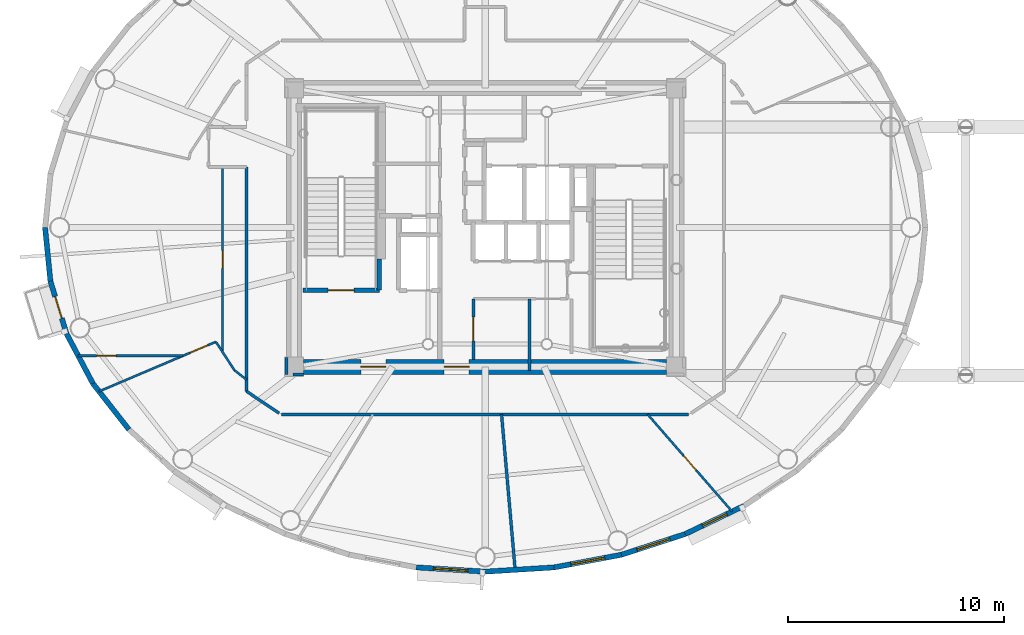
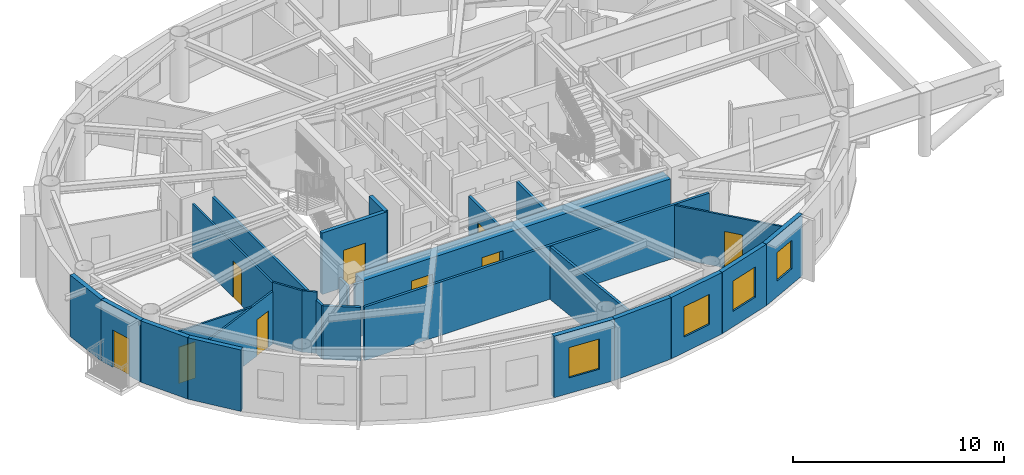
# One storey, part 8 of 19: 26 walls, 9 doors, 4 windows, 13 openings.
"""IFC4 building model written with IfcOpenShell, lengths in metres."""

from ifc_helpers import new_model, si_unit, direction, frame, frame_2d, origin, origin_2d, place, context, subcontext, project, spatial, rectangle, extrude, source, transform, mapped, material, layer, layer_set, type_object, element, fill, save


model = new_model("IFC4")

# Units and contexts
model_context = context("Model", 3, precision=1e-05, world=origin(), true_north=direction((0.0, 1.0)))
body_context = subcontext(model_context, "Body", "Model", "MODEL_VIEW")
ifc_project = project(units=[si_unit("LENGTHUNIT", "METRE"), si_unit("AREAUNIT", "SQUARE_METRE"), si_unit("VOLUMEUNIT", "CUBIC_METRE"), si_unit("PLANEANGLEUNIT", "RADIAN"), si_unit("MASSUNIT", "GRAM", prefix="KILO")], contexts=[model_context])

# Site, building, storey
site_placement = place(None, origin())
site = spatial("IfcSite", under=ifc_project, at=site_placement, CompositionType="ELEMENT")
building_placement = place(site_placement, origin())
building = spatial("IfcBuilding", under=site, at=building_placement, Name="Linh Dai School and Residence Tower", CompositionType="ELEMENT")
storey_placement = place(building_placement, frame((0.0, 0.0, 339.199951171875)))
storey = spatial("IfcBuildingStorey", under=building, at=storey_placement, Name="L84", CompositionType="ELEMENT", Elevation=339.199951171875)

# Wall
ifc_material_1 = material(Name="Precast Concrete B45 (C35/45)", Category="concrete")
ifc_layer_1 = layer(ifc_material_1, 0.239990234375)
ifc_layer_set_1 = layer_set([ifc_layer_1], Name="Precast Concrete B45 (C35/45)")
wall_type_1 = type_object("IfcWallType", Name="EW-TC-240", PredefinedType="SOLIDWALL", material=ifc_layer_set_1)
wall_1_placement = place(storey_placement, frame((15.875, 24.51318359375, 0.0), z_axis=(0.0, 0.0, 1.0), x_axis=(-0.100025963401, 0.994984827344, 0.0)))
element("IfcWall", 1, at=wall_1_placement, inside=storey, type_object=wall_type_1, Name="L84 Terracotta Exterior Wall 21", PredefinedType="SOLIDWALL", context=body_context, shape_type="SweptSolid", body=[
    extrude(rectangle(XDim=2.499267578125, YDim=0.239990234375, at=frame_2d((1.24951171875, 0.0))), origin(), (0.0, 0.0, 1.0), 3.550048828125),
])

# Wall, opening, door
wall_2_placement = place(storey_placement, frame((16.618896484375, 22.086669921875, 0.0), z_axis=(0.0, 0.0, 1.0), x_axis=(-0.293105547213, 0.956080089842, 0.0)))
wall_2 = element("IfcWall", 2, at=wall_2_placement, inside=storey, type_object=wall_type_1, Name="L84 Terracotta Exterior Wall 22", PredefinedType="SOLIDWALL", context=body_context, shape_type="SweptSolid", body=[
    extrude(rectangle(XDim=2.5380859375, YDim=0.239990234375, at=frame_2d((1.26904296875, 0.0))), origin(), (0.0, 0.0, 1.0), 3.550048828125),
])
opening_1_placement = place(wall_2_placement, frame((0.743896484375, 0.0, 0.0)))
opening_1 = element("IfcOpeningElement", 3, at=opening_1_placement, cuts=wall_2, Name="Opening BD1", PredefinedType="OPENING", context=body_context, shape_type="SweptSolid", body=[
    extrude(rectangle(XDim=1.050048828125, YDim=2.14990234375, at=origin_2d()), frame((0.52490234375, 0.1298828125, 1.074951171875), z_axis=(0.0, -1.0, 0.0), x_axis=(1.0, 0.0, 0.0)), (0.0, 0.0, 1.0), 0.260009765625),
])
ifc_material_2 = material(Name="Double-Glazed Balcony Door", Category="glass")
door_type_1 = type_object("IfcDoorType", Name="DR-BALC-1050x2150", OperationType="NOTDEFINED", PredefinedType="DOOR", material=ifc_material_2)
shared_shape_1 = source(origin(), body_context, "Body", "SweptSolid", [
    extrude(rectangle(XDim=1.050048828125, YDim=2.14990234375, at=origin_2d()), frame((0.52490234375, 0.02490234375, 1.074951171875), z_axis=(0.0, -1.0, 0.0), x_axis=(1.0, 0.0, 0.0)), (0.0, 0.0, 1.0), 0.050048828125),
])
door_1_placement = place(opening_1_placement, origin())
door_1 = element("IfcDoor", 4, at=door_1_placement, inside=storey, type_object=door_type_1, Name="L84 Glazed Balcony Door 22", OperationType="SINGLE_SWING_RIGHT", OverallHeight=2.14990234375, OverallWidth=1.050048828125, PredefinedType="DOOR", context=body_context, shape_type="MappedRepresentation", body=[
    mapped(shared_shape_1, transform((0.0, 0.0, 0.0), x_axis=(1.0, 0.0, 0.0), y_axis=(0.0, 1.0, 0.0), z_axis=(0.0, 0.0, 1.0), scale=1.0)),
])
fill(opening_1, door_1)

# Walls
wall_3_placement = place(storey_placement, frame((17.839111328125, 19.779296875, 0.0), z_axis=(0.0, 0.0, 1.0), x_axis=(-0.467487999989, 0.883999417345, 0.0)))
element("IfcWall", 5, at=wall_3_placement, inside=storey, type_object=wall_type_1, Name="L84 Terracotta Exterior Wall 23", PredefinedType="SOLIDWALL", context=body_context, shape_type="SweptSolid", body=[
    extrude(rectangle(XDim=2.610107421875, YDim=0.239990234375, at=frame_2d((1.30517578125, 0.0))), origin(), (0.0, 0.0, 1.0), 3.550048828125),
])
wall_4_placement = place(storey_placement, frame((19.5068359375, 17.648193359375, 0.0), z_axis=(0.0, 0.0, 1.0), x_axis=(-0.616286367698, 0.78752213492, 0.0)))
element("IfcWall", 6, at=wall_4_placement, inside=storey, type_object=wall_type_1, Name="L84 Terracotta Exterior Wall 24", PredefinedType="SOLIDWALL", context=body_context, shape_type="SweptSolid", body=[
    extrude(rectangle(XDim=2.7060546875, YDim=0.239990234375, at=frame_2d((1.35302734375, 0.0))), origin(), (0.0, 0.0, 1.0), 3.550048828125),
])

# Wall, opening, window
wall_5_placement = place(storey_placement, frame((36.0, 11.070068359375, 0.0), z_axis=(0.0, 0.0, 1.0), x_axis=(-0.998109204399, 0.061465568355, 0.0)))
wall_5 = element("IfcWall", 7, at=wall_5_placement, inside=storey, type_object=wall_type_1, Name="L84 Terracotta Exterior Wall 30", PredefinedType="SOLIDWALL", context=body_context, shape_type="SweptSolid", body=[
    extrude(rectangle(XDim=3.197509765625, YDim=0.239990234375, at=frame_2d((1.5986328125, 0.0))), origin(), (0.0, 0.0, 1.0), 3.550048828125),
])
opening_2_placement = place(wall_5_placement, frame((0.798828125, 0.0, 0.89990234375)))
opening_2 = element("IfcOpeningElement", 8, at=opening_2_placement, cuts=wall_5, Name="Opening W2", PredefinedType="OPENING", context=body_context, shape_type="SweptSolid", body=[
    extrude(rectangle(XDim=1.60009765625, YDim=1.75, at=origin_2d()), frame((0.800048828125, 0.1298828125, 0.875), z_axis=(0.0, -1.0, 0.0), x_axis=(1.0, 0.0, 0.0)), (0.0, 0.0, 1.0), 0.260009765625),
])
ifc_material_3 = material(Name="Double Low-E Insulated Glazing", Category="glass")
window_type_1 = type_object("IfcWindowType", Name="WN-RES-1600x1750", PartitioningType="DOUBLE_PANEL_VERTICAL", PredefinedType="WINDOW", material=ifc_material_3)
shared_shape_2 = source(origin(), body_context, "Body", "SweptSolid", [
    extrude(rectangle(XDim=1.60009765625, YDim=1.75, at=origin_2d()), frame((0.800048828125, 0.030029296875, 0.875), z_axis=(0.0, -1.0, 0.0), x_axis=(1.0, 0.0, 0.0)), (0.0, 0.0, 1.0), 0.06005859375),
])
window_1_placement = place(opening_2_placement, origin())
window_1 = element("IfcWindow", 9, at=window_1_placement, inside=storey, type_object=window_type_1, Name="L84 Exterior Window 30.1", OverallHeight=1.75, OverallWidth=1.60009765625, PartitioningType="DOUBLE_PANEL_VERTICAL", PredefinedType="WINDOW", context=body_context, shape_type="MappedRepresentation", body=[
    mapped(shared_shape_2, transform((0.0, 0.0, 0.0), x_axis=(1.0, 0.0, 0.0), y_axis=(0.0, 1.0, 0.0), z_axis=(0.0, 0.0, 1.0), scale=1.0)),
])
fill(opening_2, window_1)

# Wall
wall_6_placement = place(storey_placement, frame((39.19140625, 11.2666015625, 0.0), z_axis=(0.0, 0.0, 1.0), x_axis=(-0.998109204399, -0.061465568355, 0.0)))
element("IfcWall", 10, at=wall_6_placement, inside=storey, type_object=wall_type_1, Name="L84 Terracotta Exterior Wall 31", PredefinedType="SOLIDWALL", context=body_context, shape_type="SweptSolid", body=[
    extrude(rectangle(XDim=3.197509765625, YDim=0.239990234375, at=frame_2d((1.5986328125, 0.0))), origin(), (0.0, 0.0, 1.0), 3.550048828125),
])

# Wall, opening, window
wall_7_placement = place(storey_placement, frame((42.303955078125, 11.85205078125, 0.0), z_axis=(0.0, 0.0, 1.0), x_axis=(-0.98276643264, -0.184851667226, 0.0)))
wall_7 = element("IfcWall", 11, at=wall_7_placement, inside=storey, type_object=wall_type_1, Name="L84 Terracotta Exterior Wall 32", PredefinedType="SOLIDWALL", context=body_context, shape_type="SweptSolid", body=[
    extrude(rectangle(XDim=3.167236328125, YDim=0.239990234375, at=frame_2d((1.58349609375, 0.0))), origin(), (0.0, 0.0, 1.0), 3.550048828125),
])
opening_3_placement = place(wall_7_placement, frame((0.78369140625, 0.0, 0.89990234375)))
opening_3 = element("IfcOpeningElement", 12, at=opening_3_placement, cuts=wall_7, Name="Opening W2", PredefinedType="OPENING", context=body_context, shape_type="SweptSolid", body=[
    extrude(rectangle(XDim=1.60009765625, YDim=1.75, at=origin_2d()), frame((0.800048828125, 0.1298828125, 0.875), z_axis=(0.0, -1.0, 0.0), x_axis=(1.0, 0.0, 0.0)), (0.0, 0.0, 1.0), 0.260009765625),
])
window_2_placement = place(opening_3_placement, origin())
window_2 = element("IfcWindow", 13, at=window_2_placement, inside=storey, type_object=window_type_1, Name="L84 Exterior Window 32.1", OverallHeight=1.75, OverallWidth=1.60009765625, PartitioningType="DOUBLE_PANEL_VERTICAL", PredefinedType="WINDOW", context=body_context, shape_type="MappedRepresentation", body=[
    mapped(shared_shape_2, transform((0.0, 0.0, 0.0), x_axis=(1.0, 0.0, 0.0), y_axis=(0.0, 1.0, 0.0), z_axis=(0.0, 0.0, 1.0), scale=1.0)),
])
fill(opening_3, window_2)

wall_8_placement = place(storey_placement, frame((45.260498046875, 12.81103515625, 0.0), z_axis=(0.0, 0.0, 1.0), x_axis=(-0.951212850731, -0.308535431682, 0.0)))
wall_8 = element("IfcWall", 14, at=wall_8_placement, inside=storey, type_object=wall_type_1, Name="L84 Terracotta Exterior Wall 33", PredefinedType="SOLIDWALL", context=body_context, shape_type="SweptSolid", body=[
    extrude(rectangle(XDim=3.108154296875, YDim=0.239990234375, at=frame_2d((1.55419921875, 0.0))), origin(), (0.0, 0.0, 1.0), 3.550048828125),
])
opening_4_placement = place(wall_8_placement, frame((0.754150390625, 0.0, 0.89990234375)))
opening_4 = element("IfcOpeningElement", 15, at=opening_4_placement, cuts=wall_8, Name="Opening W2", PredefinedType="OPENING", context=body_context, shape_type="SweptSolid", body=[
    extrude(rectangle(XDim=1.60009765625, YDim=1.75, at=origin_2d()), frame((0.800048828125, 0.1298828125, 0.875), z_axis=(0.0, -1.0, 0.0), x_axis=(1.0, 0.0, 0.0)), (0.0, 0.0, 1.0), 0.260009765625),
])
window_3_placement = place(opening_4_placement, origin())
window_3 = element("IfcWindow", 16, at=window_3_placement, inside=storey, type_object=window_type_1, Name="L84 Exterior Window 33.1", OverallHeight=1.75, OverallWidth=1.60009765625, PartitioningType="DOUBLE_PANEL_VERTICAL", PredefinedType="WINDOW", context=body_context, shape_type="MappedRepresentation", body=[
    mapped(shared_shape_2, transform((0.0, 0.0, 0.0), x_axis=(1.0, 0.0, 0.0), y_axis=(0.0, 1.0, 0.0), z_axis=(0.0, 0.0, 1.0), scale=1.0)),
])
fill(opening_4, window_3)

wall_9_placement = place(storey_placement, frame((47.98779296875, 14.119873046875, 0.0), z_axis=(0.0, 0.0, 1.0), x_axis=(-0.901557057889, -0.432660226241, 0.0)))
wall_9 = element("IfcWall", 17, at=wall_9_placement, inside=storey, type_object=wall_type_1, Name="L84 Terracotta Exterior Wall 34", PredefinedType="SOLIDWALL", context=body_context, shape_type="SweptSolid", body=[
    extrude(rectangle(XDim=3.025146484375, YDim=0.239990234375, at=frame_2d((1.5126953125, 0.0))), origin(), (0.0, 0.0, 1.0), 3.550048828125),
])
opening_5_placement = place(wall_9_placement, frame((0.8876953125, 0.0, 0.89990234375)))
opening_5 = element("IfcOpeningElement", 18, at=opening_5_placement, cuts=wall_9, Name="Opening W3", PredefinedType="OPENING", context=body_context, shape_type="SweptSolid", body=[
    extrude(rectangle(XDim=1.25, YDim=1.64990234375, at=origin_2d()), frame((0.625, 0.1298828125, 0.824951171875), z_axis=(0.0, -1.0, 0.0), x_axis=(1.0, 0.0, 0.0)), (0.0, 0.0, 1.0), 0.260009765625),
])
window_type_2 = type_object("IfcWindowType", Name="WN-RES-1250x1650", PartitioningType="SINGLE_PANEL", PredefinedType="WINDOW", material=ifc_material_3)
shared_shape_3 = source(origin(), body_context, "Body", "SweptSolid", [
    extrude(rectangle(XDim=1.25, YDim=1.64990234375, at=origin_2d()), frame((0.625, 0.030029296875, 0.824951171875), z_axis=(0.0, -1.0, 0.0), x_axis=(1.0, 0.0, 0.0)), (0.0, 0.0, 1.0), 0.06005859375),
])
window_4_placement = place(opening_5_placement, origin())
window_4 = element("IfcWindow", 19, at=window_4_placement, inside=storey, type_object=window_type_2, Name="L84 Exterior Window 34.1", OverallHeight=1.64990234375, OverallWidth=1.25, PartitioningType="SINGLE_PANEL", PredefinedType="WINDOW", context=body_context, shape_type="MappedRepresentation", body=[
    mapped(shared_shape_3, transform((0.0, 0.0, 0.0), x_axis=(1.0, 0.0, 0.0), y_axis=(0.0, 1.0, 0.0), z_axis=(0.0, 0.0, 1.0), scale=1.0)),
])
fill(opening_5, window_4)

# Walls
ifc_material_4 = material(Name="Autoclaved Aerated Concrete Blockwork", Category="masonry")
ifc_layer_2 = layer(ifc_material_4, 0.135009765625)
ifc_layer_set_2 = layer_set([ifc_layer_2], Name="Autoclaved Aerated Concrete Blockwork")
wall_type_2 = type_object("IfcWallType", Name="IW-CORR-135-EI90", PredefinedType="PARTITIONING", material=ifc_layer_set_2)
wall_10_placement = place(storey_placement, frame((24.949951171875, 19.41748046875, 0.0), z_axis=(0.0, 0.0, 1.0), x_axis=(0.0, 1.0, 0.0)))
element("IfcWall", 20, at=wall_10_placement, inside=storey, type_object=wall_type_2, Name="L84 Interior Partition Wall 013", PredefinedType="PARTITIONING", context=body_context, shape_type="SweptSolid", body=[
    extrude(rectangle(XDim=10.382568359375, YDim=0.135009765625, at=frame_2d((5.19140625, 0.0))), origin(), (0.0, 0.0, 1.0), 3.0849609375),
])
wall_11_placement = place(storey_placement, frame((24.949951171875, 19.41748046875, 0.0), z_axis=(0.0, 0.0, 1.0), x_axis=(0.831180227396, -0.556003084151, 0.0)))
element("IfcWall", 21, at=wall_11_placement, inside=storey, type_object=wall_type_2, Name="L84 Interior Partition Wall 014", PredefinedType="PARTITIONING", context=body_context, shape_type="SweptSolid", body=[
    extrude(rectangle(XDim=1.815185546875, YDim=0.135009765625, at=frame_2d((0.90771484375, 0.0))), origin(), (0.0, 0.0, 1.0), 3.0849609375),
])
wall_12_placement = place(storey_placement, frame((26.580078125, 18.35009765625, 0.0), z_axis=(0.0, 0.0, 1.0), x_axis=(1.0, 0.0, 0.0)))
element("IfcWall", 22, at=wall_12_placement, inside=storey, type_object=wall_type_2, Name="L84 Interior Partition Wall 017", PredefinedType="PARTITIONING", context=body_context, shape_type="SweptSolid", body=[
    extrude(rectangle(XDim=18.83984375, YDim=0.135009765625, at=frame_2d((9.419921875, 0.0))), origin(), (0.0, 0.0, 1.0), 3.0849609375),
])

# Wall, opening, door
wall_13_placement = place(storey_placement, frame((35.449951171875, 20.89990234375, 0.0), z_axis=(0.0, 0.0, 1.0), x_axis=(0.0, 1.0, 0.0)))
wall_13 = element("IfcWall", 23, at=wall_13_placement, inside=storey, type_object=wall_type_2, Name="L84 Interior Partition Wall 038", PredefinedType="PARTITIONING", context=body_context, shape_type="SweptSolid", body=[
    extrude(rectangle(XDim=2.800048828125, YDim=0.135009765625, at=frame_2d((1.39990234375, 0.0))), origin(), (0.0, 0.0, 1.0), 3.135009765625),
])
opening_6_placement = place(wall_13_placement, frame((0.85009765625, 0.0, 0.0)))
opening_6 = element("IfcOpeningElement", 24, at=opening_6_placement, cuts=wall_13, Name="Opening D07", PredefinedType="OPENING", context=body_context, shape_type="SweptSolid", body=[
    extrude(rectangle(XDim=1.10009765625, YDim=2.14990234375, at=origin_2d()), frame((0.550048828125, 0.07763671875, 1.074951171875), z_axis=(0.0, -1.0, 0.0), x_axis=(1.0, 0.0, 0.0)), (0.0, 0.0, 1.0), 0.155029296875),
])
ifc_material_5 = material(Name="Fire-Rated Louvred Steel Plant Door", Category="steel")
door_type_2 = type_object("IfcDoorType", Name="DR-PLT-1100x2150-FD60S", OperationType="NOTDEFINED", PredefinedType="DOOR", material=ifc_material_5)
shared_shape_4 = source(origin(), body_context, "Body", "SweptSolid", [
    extrude(rectangle(XDim=1.10009765625, YDim=2.14990234375, at=origin_2d()), frame((0.550048828125, 0.02490234375, 1.074951171875), z_axis=(0.0, -1.0, 0.0), x_axis=(1.0, 0.0, 0.0)), (0.0, 0.0, 1.0), 0.050048828125),
])
door_2_placement = place(opening_6_placement, origin())
door_2 = element("IfcDoor", 25, at=door_2_placement, inside=storey, type_object=door_type_2, Name="L84 Floor Electrical Switchroom Door", OperationType="SINGLE_SWING_RIGHT", OverallHeight=2.14990234375, OverallWidth=1.10009765625, PredefinedType="DOOR", context=body_context, shape_type="MappedRepresentation", body=[
    mapped(shared_shape_4, transform((0.0, 0.0, 0.0), x_axis=(1.0, 0.0, 0.0), y_axis=(0.0, 1.0, 0.0), z_axis=(0.0, 0.0, 1.0), scale=1.0)),
])
fill(opening_6, door_2)

# Walls
wall_14_placement = place(storey_placement, frame((36.7568359375, 18.35009765625, 0.0), z_axis=(0.0, 0.0, 1.0), x_axis=(0.087154378737, -0.996194817426, 0.0)))
element("IfcWall", 26, at=wall_14_placement, inside=storey, type_object=wall_type_2, Name="L84 Interior Partition Wall 045", PredefinedType="PARTITIONING", context=body_context, shape_type="SweptSolid", body=[
    extrude(rectangle(XDim=7.227294921875, YDim=0.135009765625, at=frame_2d((3.61376953125, 0.0))), origin(), (0.0, 0.0, 1.0), 3.03515625),
])
wall_15_placement = place(storey_placement, frame((26.800048828125, 20.989990234375, 0.0), z_axis=(0.0, 0.0, 1.0), x_axis=(0.0, -1.0, 0.0)))
element("IfcWall", 27, at=wall_15_placement, inside=storey, type_object=wall_type_2, Name="L84 Interior Partition Wall 081", PredefinedType="PARTITIONING", context=body_context, shape_type="SweptSolid", body=[
    extrude(rectangle(XDim=0.7900390625, YDim=0.135009765625, at=frame_2d((0.39501953125, 0.0))), origin(), (0.0, 0.0, 1.0), 3.0849609375),
])
wall_16_placement = place(storey_placement, frame((27.107421875, 20.199951171875, 0.0), z_axis=(0.0, 0.0, 1.0), x_axis=(1.0, 0.0, 0.0)))
element("IfcWall", 28, at=wall_16_placement, inside=storey, type_object=wall_type_2, Name="L84 Interior Partition Wall 082", PredefinedType="PARTITIONING", context=body_context, shape_type="SweptSolid", body=[
    extrude(rectangle(XDim=0.482666015625, YDim=0.135009765625, at=frame_2d((0.2412109375, 0.0))), origin(), (0.0, 0.0, 1.0), 3.0849609375),
])
ifc_layer_3 = layer(ifc_material_4, 0.14990234375)
ifc_layer_set_3 = layer_set([ifc_layer_3], Name="Autoclaved Aerated Concrete Blockwork")
wall_type_3 = type_object("IfcWallType", Name="IW-SCH-150-EI60", PredefinedType="PARTITIONING", material=ifc_layer_set_3)
wall_17_placement = place(storey_placement, frame((38.050048828125, 20.3798828125, 0.0), z_axis=(0.0, 0.0, 1.0), x_axis=(0.0, 1.0, 0.0)))
element("IfcWall", 29, at=wall_17_placement, inside=storey, type_object=wall_type_3, Name="L84 Interior Partition Wall 051", PredefinedType="PARTITIONING", context=body_context, shape_type="SweptSolid", body=[
    extrude(rectangle(XDim=3.320068359375, YDim=0.14990234375, at=frame_2d((1.66015625, 0.0))), origin(), (0.0, 0.0, 1.0), 3.0849609375),
])

# Wall, opening, door
ifc_material_6 = material(Name="Concrete B45 (C35/45)", Category="concrete")
ifc_layer_4 = layer(ifc_material_6, 0.199951171875)
ifc_layer_set_4 = layer_set([ifc_layer_4], Name="Concrete B45 (C35/45)")
wall_type_4 = type_object("IfcWallType", Name="IW-SHAFT-200-EI120", PredefinedType="PARTITIONING", material=ifc_layer_set_4)
wall_18_placement = place(storey_placement, frame((27.56005859375, 24.10009765625, 0.0), z_axis=(0.0, 0.0, 1.0), x_axis=(1.0, 0.0, 0.0)))
wall_18 = element("IfcWall", 30, at=wall_18_placement, inside=storey, type_object=wall_type_4, Name="L84 Interior Partition Wall 020", PredefinedType="PARTITIONING", context=body_context, shape_type="SweptSolid", body=[
    extrude(rectangle(XDim=3.5400390625, YDim=0.199951171875, at=frame_2d((1.77001953125, 0.0))), origin(), (0.0, 0.0, 1.0), 3.550048828125),
])
opening_7_placement = place(wall_18_placement, frame((1.169921875, 0.0, 0.0)))
opening_7 = element("IfcOpeningElement", 31, at=opening_7_placement, cuts=wall_18, Name="Opening D01", PredefinedType="OPENING", context=body_context, shape_type="SweptSolid", body=[
    extrude(rectangle(XDim=1.199951171875, YDim=2.14990234375, at=origin_2d()), frame((0.60009765625, 0.10986328125, 1.074951171875), z_axis=(0.0, -1.0, 0.0), x_axis=(1.0, 0.0, 0.0)), (0.0, 0.0, 1.0), 0.219970703125),
])
ifc_material_7 = material(Name="Fire-Rated Steel Door Leaf", Category="steel")
door_type_3 = type_object("IfcDoorType", Name="DR-STAIR-1200x2150-FD90S", OperationType="NOTDEFINED", PredefinedType="DOOR", material=ifc_material_7)
shared_shape_5 = source(origin(), body_context, "Body", "SweptSolid", [
    extrude(rectangle(XDim=1.199951171875, YDim=2.14990234375, at=origin_2d()), frame((0.60009765625, 0.02490234375, 1.074951171875), z_axis=(0.0, -1.0, 0.0), x_axis=(1.0, 0.0, 0.0)), (0.0, 0.0, 1.0), 0.050048828125),
])
door_3_placement = place(opening_7_placement, origin())
door_3 = element("IfcDoor", 32, at=door_3_placement, inside=storey, type_object=door_type_3, Name="L84 Core Smokeproof Exit Stair ST1 Door", OperationType="SINGLE_SWING_RIGHT", OverallHeight=2.14990234375, OverallWidth=1.199951171875, PredefinedType="DOOR", context=body_context, shape_type="MappedRepresentation", body=[
    mapped(shared_shape_5, transform((0.0, 0.0, 0.0), x_axis=(1.0, 0.0, 0.0), y_axis=(0.0, 1.0, 0.0), z_axis=(0.0, 0.0, 1.0), scale=1.0)),
])
fill(opening_7, door_3)

# Wall
wall_19_placement = place(storey_placement, frame((31.10009765625, 24.10009765625, 0.0), z_axis=(0.0, 0.0, 1.0), x_axis=(0.0, 1.0, 0.0)))
element("IfcWall", 33, at=wall_19_placement, inside=storey, type_object=wall_type_4, Name="L84 Interior Partition Wall 022", PredefinedType="PARTITIONING", context=body_context, shape_type="SweptSolid", body=[
    extrude(rectangle(XDim=1.43994140625, YDim=0.199951171875, at=frame_2d((0.719970703125, 0.0))), origin(), (0.0, 0.0, 1.0), 3.550048828125),
])

# Wall, opening, door
ifc_material_8 = material(Name="Gypsum Plasterboard Acoustic Stud Partition", Category="masonry")
ifc_layer_5 = layer(ifc_material_8, 0.10009765625)
ifc_layer_set_5 = layer_set([ifc_layer_5], Name="Gypsum Plasterboard Acoustic Stud Partition")
wall_type_5 = type_object("IfcWallType", Name="IW-UNIT-100", PredefinedType="PARTITIONING", material=ifc_layer_set_5)
wall_20_placement = place(storey_placement, frame((17.15625, 21.059814453125, 0.0), z_axis=(0.0, 0.0, 1.0), x_axis=(1.0, 0.0, 0.0)))
wall_20 = element("IfcWall", 34, at=wall_20_placement, inside=storey, type_object=wall_type_5, Name="L84 Interior Partition Wall 002", PredefinedType="PARTITIONING", context=body_context, shape_type="SweptSolid", body=[
    extrude(rectangle(XDim=4.84912109375, YDim=0.10009765625, at=frame_2d((2.424560546875, 0.0))), origin(), (0.0, 0.0, 1.0), 3.03515625),
])
opening_8_placement = place(wall_20_placement, frame((0.86181640625, 0.0, 0.0)))
opening_8 = element("IfcOpeningElement", 35, at=opening_8_placement, cuts=wall_20, Name="Opening D05", PredefinedType="OPENING", context=body_context, shape_type="SweptSolid", body=[
    extrude(rectangle(XDim=0.89990234375, YDim=2.10009765625, at=origin_2d()), frame((0.449951171875, 0.06005859375, 1.050048828125), z_axis=(0.0, -1.0, 0.0), x_axis=(1.0, 0.0, 0.0)), (0.0, 0.0, 1.0), 0.1201171875),
])
ifc_material_9 = material(Name="Engineered Timber Internal Door", Category="wood")
door_type_4 = type_object("IfcDoorType", Name="DR-INT-900x2100", OperationType="NOTDEFINED", PredefinedType="DOOR", material=ifc_material_9)
shared_shape_6 = source(origin(), body_context, "Body", "SweptSolid", [
    extrude(rectangle(XDim=0.89990234375, YDim=2.10009765625, at=origin_2d()), frame((0.449951171875, 0.02490234375, 1.050048828125), z_axis=(0.0, -1.0, 0.0), x_axis=(1.0, 0.0, 0.0)), (0.0, 0.0, 1.0), 0.050048828125),
])
door_4_placement = place(opening_8_placement, origin())
door_4 = element("IfcDoor", 36, at=door_4_placement, inside=storey, type_object=door_type_4, Name="L84 Apartment U8401 Kitchen Door", OperationType="SINGLE_SWING_LEFT", OverallHeight=2.10009765625, OverallWidth=0.89990234375, PredefinedType="DOOR", context=body_context, shape_type="MappedRepresentation", body=[
    mapped(shared_shape_6, transform((0.0, 0.0, 0.0), x_axis=(1.0, 0.0, 0.0), y_axis=(0.0, 1.0, 0.0), z_axis=(0.0, 0.0, 1.0), scale=1.0)),
])
fill(opening_8, door_4)

wall_21_placement = place(storey_placement, frame((18.12109375, 19.410888671875, 0.0), z_axis=(0.0, 0.0, 1.0), x_axis=(0.920507145492, 0.390725728739, 0.0)))
wall_21 = element("IfcWall", 37, at=wall_21_placement, inside=storey, type_object=wall_type_5, Name="L84 Interior Partition Wall 003", PredefinedType="PARTITIONING", context=body_context, shape_type="SweptSolid", body=[
    extrude(rectangle(XDim=5.881591796875, YDim=0.10009765625, at=frame_2d((2.94091796875, 0.0))), origin(), (0.0, 0.0, 1.0), 3.03515625),
])
opening_9_placement = place(wall_21_placement, frame((4.5810546875, 0.0, 0.0)))
opening_9 = element("IfcOpeningElement", 38, at=opening_9_placement, cuts=wall_21, Name="Opening D05", PredefinedType="OPENING", context=body_context, shape_type="SweptSolid", body=[
    extrude(rectangle(XDim=0.89990234375, YDim=2.10009765625, at=origin_2d()), frame((0.449951171875, 0.06005859375, 1.050048828125), z_axis=(0.0, -1.0, 0.0), x_axis=(1.0, 0.0, 0.0)), (0.0, 0.0, 1.0), 0.1201171875),
])
door_5_placement = place(opening_9_placement, origin())
door_5 = element("IfcDoor", 39, at=door_5_placement, inside=storey, type_object=door_type_4, Name="L84 Apartment U8401 Principal Bedroom 3 Door", OperationType="SINGLE_SWING_RIGHT", OverallHeight=2.10009765625, OverallWidth=0.89990234375, PredefinedType="DOOR", context=body_context, shape_type="MappedRepresentation", body=[
    mapped(shared_shape_6, transform((0.0, 0.0, 0.0), x_axis=(1.0, 0.0, 0.0), y_axis=(0.0, 1.0, 0.0), z_axis=(0.0, 0.0, 1.0), scale=1.0)),
])
fill(opening_9, door_5)

# Wall
wall_22_placement = place(storey_placement, frame((23.53515625, 21.708984375, 0.0), z_axis=(0.0, 0.0, 1.0), x_axis=(0.545327464497, -0.838223094686, 0.0)))
element("IfcWall", 40, at=wall_22_placement, inside=storey, type_object=wall_type_5, Name="L84 Interior Partition Wall 009", PredefinedType="PARTITIONING", context=body_context, shape_type="SweptSolid", body=[
    extrude(rectangle(XDim=1.568603515625, YDim=0.10009765625, at=frame_2d((0.7841796875, 0.0))), origin(), (0.0, 0.0, 1.0), 3.550048828125),
])

# Wall, opening, door
wall_23_placement = place(storey_placement, frame((23.845947265625, 21.231201171875, 0.0), z_axis=(0.0, 0.0, 1.0), x_axis=(0.0, 1.0, 0.0)))
wall_23 = element("IfcWall", 41, at=wall_23_placement, inside=storey, type_object=wall_type_5, Name="L84 Interior Partition Wall 010", PredefinedType="PARTITIONING", context=body_context, shape_type="SweptSolid", body=[
    extrude(rectangle(XDim=8.56884765625, YDim=0.10009765625, at=frame_2d((4.284423828125, 0.0))), origin(), (0.0, 0.0, 1.0), 3.0849609375),
])
opening_10_placement = place(wall_23_placement, frame((3.87451171875, 0.0, 0.0)))
opening_10 = element("IfcOpeningElement", 42, at=opening_10_placement, cuts=wall_23, Name="Opening D06", PredefinedType="OPENING", context=body_context, shape_type="SweptSolid", body=[
    extrude(rectangle(XDim=0.820068359375, YDim=2.10009765625, at=origin_2d()), frame((0.41015625, 0.06005859375, 1.050048828125), z_axis=(0.0, -1.0, 0.0), x_axis=(1.0, 0.0, 0.0)), (0.0, 0.0, 1.0), 0.1201171875),
])
ifc_material_10 = material(Name="Moisture-Resistant Timber Bathroom Door", Category="wood")
door_type_5 = type_object("IfcDoorType", Name="DR-WET-820x2100", OperationType="NOTDEFINED", PredefinedType="DOOR", material=ifc_material_10)
shared_shape_7 = source(origin(), body_context, "Body", "SweptSolid", [
    extrude(rectangle(XDim=0.820068359375, YDim=2.10009765625, at=origin_2d()), frame((0.41015625, 0.02490234375, 1.050048828125), z_axis=(0.0, -1.0, 0.0), x_axis=(1.0, 0.0, 0.0)), (0.0, 0.0, 1.0), 0.050048828125),
])
door_6_placement = place(opening_10_placement, origin())
door_6 = element("IfcDoor", 43, at=door_6_placement, inside=storey, type_object=door_type_5, Name="L84 Apartment U8401 Bathroom 1 Door", OperationType="SINGLE_SWING_RIGHT", OverallHeight=2.10009765625, OverallWidth=0.820068359375, PredefinedType="DOOR", context=body_context, shape_type="MappedRepresentation", body=[
    mapped(shared_shape_7, transform((0.0, 0.0, 0.0), x_axis=(1.0, 0.0, 0.0), y_axis=(0.0, 1.0, 0.0), z_axis=(0.0, 0.0, 1.0), scale=1.0)),
])
fill(opening_10, door_6)

# Wall
wall_24_placement = place(storey_placement, frame((24.390625, 20.394287109375, 0.0), z_axis=(0.0, 0.0, 1.0), x_axis=(0.787164110493, -0.616743595956, 0.0)))
element("IfcWall", 44, at=wall_24_placement, inside=storey, type_object=wall_type_5, Name="L84 Interior Partition Wall 011", PredefinedType="PARTITIONING", context=body_context, shape_type="SweptSolid", body=[
    extrude(rectangle(XDim=0.71044921875, YDim=0.10009765625, at=frame_2d((0.355224609375, 0.0))), origin(), (0.0, 0.0, 1.0), 3.550048828125),
])

# Wall, opening, door
wall_25_placement = place(storey_placement, frame((43.519287109375, 18.35009765625, 0.0), z_axis=(0.0, 0.0, 1.0), x_axis=(0.656046983359, -0.754720051162, 0.0)))
wall_25 = element("IfcWall", 45, at=wall_25_placement, inside=storey, type_object=wall_type_5, Name="L84 Interior Partition Wall 060", PredefinedType="PARTITIONING", context=body_context, shape_type="SweptSolid", body=[
    extrude(rectangle(XDim=5.96533203125, YDim=0.10009765625, at=frame_2d((2.982666015625, 0.0))), origin(), (0.0, 0.0, 1.0), 3.03515625),
])
opening_11_placement = place(wall_25_placement, frame((2.53271484375, 0.0, 0.0)))
opening_11 = element("IfcOpeningElement", 46, at=opening_11_placement, cuts=wall_25, Name="Opening D05", PredefinedType="OPENING", context=body_context, shape_type="SweptSolid", body=[
    extrude(rectangle(XDim=0.89990234375, YDim=2.10009765625, at=origin_2d()), frame((0.449951171875, 0.06005859375, 1.050048828125), z_axis=(0.0, -1.0, 0.0), x_axis=(1.0, 0.0, 0.0)), (0.0, 0.0, 1.0), 0.1201171875),
])
door_7_placement = place(opening_11_placement, origin())
door_7 = element("IfcDoor", 47, at=door_7_placement, inside=storey, type_object=door_type_4, Name="L84 Apartment U8402 Principal Bedroom 1 Door", OperationType="SINGLE_SWING_LEFT", OverallHeight=2.10009765625, OverallWidth=0.89990234375, PredefinedType="DOOR", context=body_context, shape_type="MappedRepresentation", body=[
    mapped(shared_shape_6, transform((0.0, 0.0, 0.0), x_axis=(1.0, 0.0, 0.0), y_axis=(0.0, 1.0, 0.0), z_axis=(0.0, 0.0, 1.0), scale=1.0)),
])
fill(opening_11, door_7)

# Wall, openings, doors
ifc_layer_6 = layer(ifc_material_6, 0.699951171875)
ifc_layer_set_6 = layer_set([ifc_layer_6], Name="Concrete B45 (C35/45)")
wall_type_6 = type_object("IfcWallType", Name="WL-CORE700", PredefinedType="SHEAR", material=ifc_layer_set_6)
wall_26_placement = place(storey_placement, frame((44.39990234375, 20.550048828125, 0.0), z_axis=(0.0, 0.0, 1.0), x_axis=(-1.0, 0.0, 0.0)))
wall_26 = element("IfcWall", 48, at=wall_26_placement, inside=storey, type_object=wall_type_6, Name="L84 Central Core Shear Wall S", PredefinedType="SHEAR", context=body_context, shape_type="SweptSolid", body=[
    extrude(rectangle(XDim=16.7998046875, YDim=0.699951171875, at=frame_2d((8.39990234375, 0.0))), origin(), (0.0, 0.0, 1.0), 3.10009765625),
])
opening_12_placement = place(wall_26_placement, frame((13.0, 0.0, 0.0)))
opening_12 = element("IfcOpeningElement", 49, at=opening_12_placement, cuts=wall_26, Name="Opening D02", PredefinedType="OPENING", context=body_context, shape_type="SweptSolid", body=[
    extrude(rectangle(XDim=1.14990234375, YDim=2.14990234375, at=origin_2d()), frame((0.574951171875, 0.35986328125, 1.074951171875), z_axis=(0.0, -1.0, 0.0), x_axis=(1.0, 0.0, 0.0)), (0.0, 0.0, 1.0), 0.719970703125),
])
opening_13_placement = place(wall_26_placement, frame((9.14990234375, 0.0, 0.0)))
opening_13 = element("IfcOpeningElement", 50, at=opening_13_placement, cuts=wall_26, Name="Opening D02", PredefinedType="OPENING", context=body_context, shape_type="SweptSolid", body=[
    extrude(rectangle(XDim=1.14990234375, YDim=2.14990234375, at=origin_2d()), frame((0.574951171875, 0.35986328125, 1.074951171875), z_axis=(0.0, -1.0, 0.0), x_axis=(1.0, 0.0, 0.0)), (0.0, 0.0, 1.0), 0.719970703125),
])
ifc_material_11 = material(Name="Fire-Rated Glazed Steel Lobby Door", Category="steel")
door_type_6 = type_object("IfcDoorType", Name="DR-LOBBY-1150x2150-FD90S", OperationType="NOTDEFINED", PredefinedType="DOOR", material=ifc_material_11)
shared_shape_8 = source(origin(), body_context, "Body", "SweptSolid", [
    extrude(rectangle(XDim=1.14990234375, YDim=2.14990234375, at=origin_2d()), frame((0.574951171875, 0.02490234375, 1.074951171875), z_axis=(0.0, -1.0, 0.0), x_axis=(1.0, 0.0, 0.0)), (0.0, 0.0, 1.0), 0.050048828125),
])
door_8_placement = place(opening_12_placement, origin())
door_8 = element("IfcDoor", 51, at=door_8_placement, inside=storey, type_object=door_type_6, Name="L84 Firefighting Lobby Door", OperationType="SINGLE_SWING_LEFT", OverallHeight=2.14990234375, OverallWidth=1.14990234375, PredefinedType="DOOR", context=body_context, shape_type="MappedRepresentation", body=[
    mapped(shared_shape_8, transform((0.0, 0.0, 0.0), x_axis=(1.0, 0.0, 0.0), y_axis=(0.0, 1.0, 0.0), z_axis=(0.0, 0.0, 1.0), scale=1.0)),
])
fill(opening_12, door_8)
door_9_placement = place(opening_13_placement, origin())
door_9 = element("IfcDoor", 52, at=door_9_placement, inside=storey, type_object=door_type_6, Name="L84 Passenger Foyer Access Door", OperationType="SINGLE_SWING_LEFT", OverallHeight=2.14990234375, OverallWidth=1.14990234375, PredefinedType="DOOR", context=body_context, shape_type="MappedRepresentation", body=[
    mapped(shared_shape_8, transform((0.0, 0.0, 0.0), x_axis=(1.0, 0.0, 0.0), y_axis=(0.0, 1.0, 0.0), z_axis=(0.0, 0.0, 1.0), scale=1.0)),
])
fill(opening_13, door_9)

save(model, "model.ifc")
